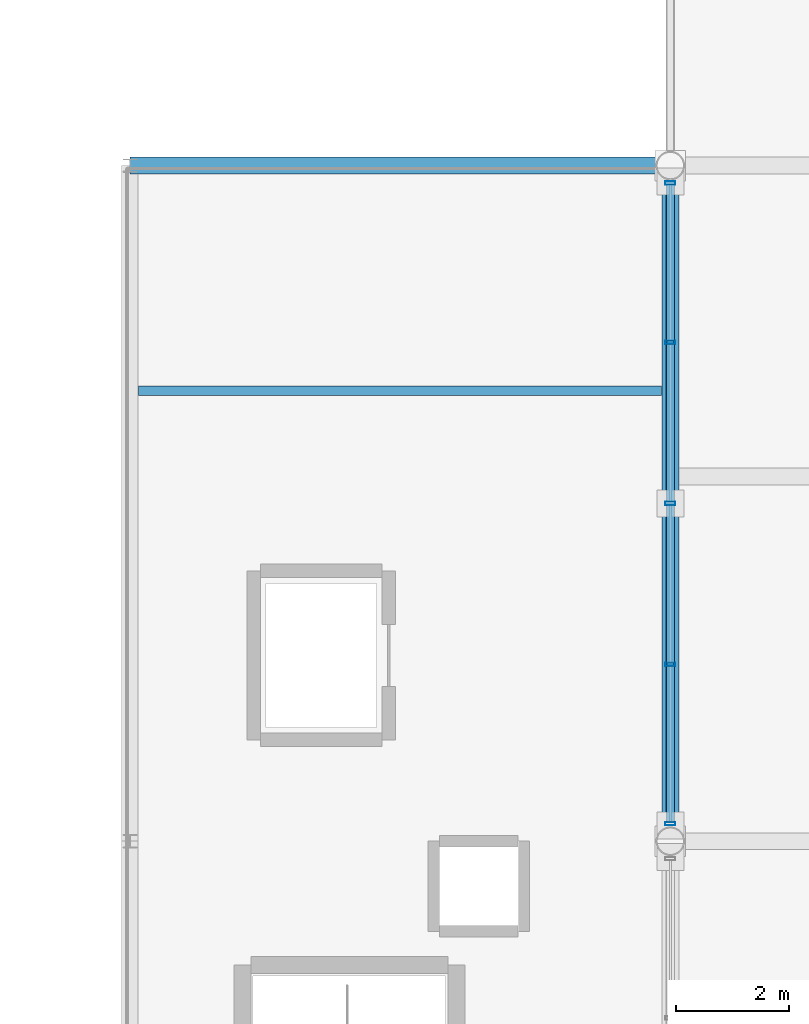
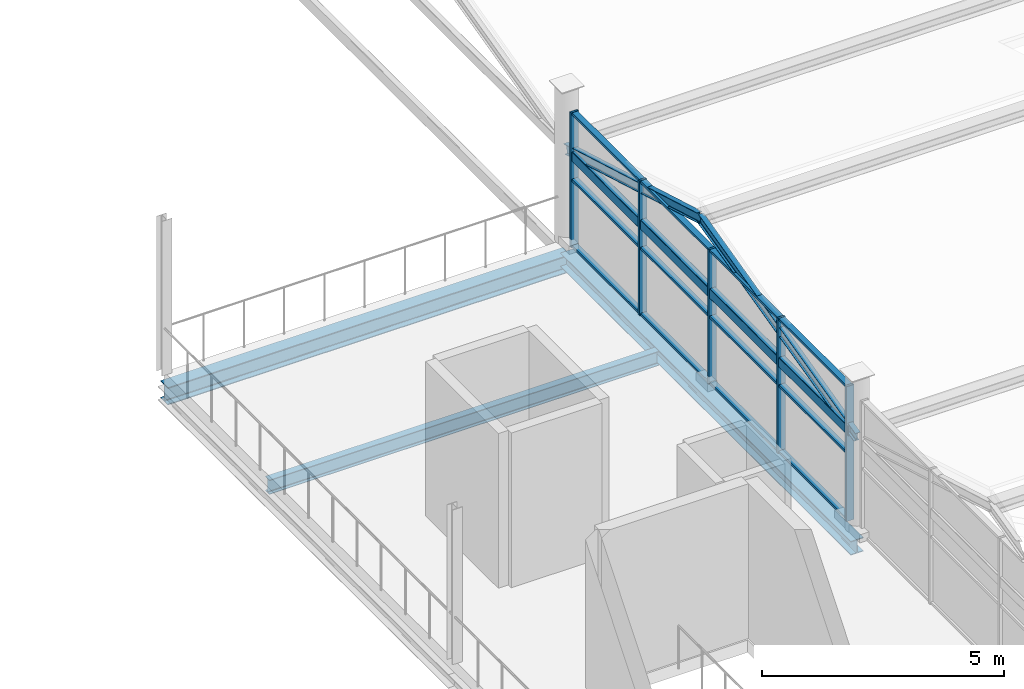
# One storey, part 54 of 117: 19 members, 4 beams, 1 element without a shape of its own.
"""IFC4 building model written with IfcOpenShell, lengths in metres."""

from ifc_helpers import new_model, si_unit, direction, frame, origin, origin_2d, place, context, subcontext, project, spatial, hollow_rectangle, i_section, extrude, material, material_profile, profile_set, type_object, element, aggregate, save


model = new_model("IFC4")

# Units and contexts
model_context = context("Model", 3, precision=1e-05, world=origin(), true_north=direction((0.0, 1.0)))
body_context = subcontext(model_context, "Body", "Model", "MODEL_VIEW")
ifc_project = project(units=[si_unit("LENGTHUNIT", "METRE"), si_unit("AREAUNIT", "SQUARE_METRE"), si_unit("VOLUMEUNIT", "CUBIC_METRE"), si_unit("PLANEANGLEUNIT", "RADIAN"), si_unit("MASSUNIT", "GRAM", prefix="KILO")], contexts=[model_context])

# Site, building, storey
site_placement = place(None, origin())
site = spatial("IfcSite", under=ifc_project, at=site_placement, CompositionType="ELEMENT")
building_placement = place(site_placement, origin())
building = spatial("IfcBuilding", under=site, at=building_placement, Name="Merenkruunu Market Hall", CompositionType="ELEMENT")
storey_placement = place(building_placement, frame((0.0, 0.0, 10.199951171875)))
storey = spatial("IfcBuildingStorey", under=building, at=storey_placement, Name="L02", CompositionType="ELEMENT", Elevation=10.199951171875)

# Curtain wall, members
ifc_material_1 = material(Name="Powder-coated aluminium", Category="aluminium")
curtain_wall_type = type_object("IfcCurtainWallType", Name="Glazed Curtain Wall CW13", PredefinedType="USERDEFINED", material=ifc_material_1)
curtain_wall_placement = place(storey_placement, origin())
curtain_wall = element("IfcCurtainWall", 1, at=curtain_wall_placement, inside=storey, type_object=curtain_wall_type, Name="CW-L02-CWM02-132", ObjectType="GLAZED_FACADE", PredefinedType="USERDEFINED")
ifc_material_profile_1 = material_profile(ifc_material_1, hollow_rectangle(XDim=0.06005859375, YDim=0.179931640625, WallThickness=0.00390625, at=origin_2d()), Name="ALU 60x180x4")
ifc_profile_set_1 = profile_set([ifc_material_profile_1], Name="Powder-coated aluminium")
member_type_1 = type_object("IfcMemberType", Name="Curtain Wall Mullion CWM02", PredefinedType="MULLION", material=ifc_profile_set_1)
member_1_placement = place(storey_placement, frame((57.60009765625, 63.909912109375, 0.0), z_axis=(0.0, 0.0, 1.0), x_axis=(0.0, 1.0, 0.0)))
member_1 = element("IfcMember", 2, at=member_1_placement, type_object=member_type_1, Name="CW13 mullion 1", PredefinedType="MULLION", context=body_context, shape_type="SweptSolid", body=[
    extrude(hollow_rectangle(XDim=0.06005859375, YDim=0.179931640625, WallThickness=0.00390625, at=origin_2d()), origin(), (0.0, 0.0, 1.0), 3.400146484375),
])
member_2_placement = place(storey_placement, frame((57.60009765625, 66.739990234375, 0.0), z_axis=(0.0, 0.0, 1.0), x_axis=(0.0, 1.0, 0.0)))
member_2 = element("IfcMember", 3, at=member_2_placement, type_object=member_type_1, Name="CW13 mullion 2", PredefinedType="MULLION", context=body_context, shape_type="SweptSolid", body=[
    extrude(hollow_rectangle(XDim=0.06005859375, YDim=0.179931640625, WallThickness=0.00390625, at=origin_2d()), origin(), (0.0, 0.0, 1.0), 3.400146484375),
])
member_3_placement = place(storey_placement, frame((57.60009765625, 69.60009765625, 0.0), z_axis=(0.0, 0.0, 1.0), x_axis=(0.0, 1.0, 0.0)))
member_3 = element("IfcMember", 4, at=member_3_placement, type_object=member_type_1, Name="CW13 mullion 3", PredefinedType="MULLION", context=body_context, shape_type="SweptSolid", body=[
    extrude(hollow_rectangle(XDim=0.06005859375, YDim=0.179931640625, WallThickness=0.00390625, at=origin_2d()), origin(), (0.0, 0.0, 1.0), 3.400146484375),
])
member_4_placement = place(storey_placement, frame((57.60009765625, 72.4599609375, 0.0), z_axis=(0.0, 0.0, 1.0), x_axis=(0.0, 1.0, 0.0)))
member_4 = element("IfcMember", 5, at=member_4_placement, type_object=member_type_1, Name="CW13 mullion 4", PredefinedType="MULLION", context=body_context, shape_type="SweptSolid", body=[
    extrude(hollow_rectangle(XDim=0.06005859375, YDim=0.179931640625, WallThickness=0.00390625, at=origin_2d()), origin(), (0.0, 0.0, 1.0), 3.400146484375),
])
member_5_placement = place(storey_placement, frame((57.60009765625, 75.2900390625, 0.0), z_axis=(0.0, 0.0, 1.0), x_axis=(0.0, 1.0, 0.0)))
member_5 = element("IfcMember", 6, at=member_5_placement, type_object=member_type_1, Name="CW13 mullion 5", PredefinedType="MULLION", context=body_context, shape_type="SweptSolid", body=[
    extrude(hollow_rectangle(XDim=0.06005859375, YDim=0.179931640625, WallThickness=0.00390625, at=origin_2d()), origin(), (0.0, 0.0, 1.0), 3.400146484375),
])
ifc_material_profile_2 = material_profile(ifc_material_1, hollow_rectangle(XDim=0.06005859375, YDim=0.139892578125, WallThickness=0.00390625, at=origin_2d()), Name="ALU 60x140x4")
ifc_profile_set_2 = profile_set([ifc_material_profile_2], Name="Powder-coated aluminium")
member_type_2 = type_object("IfcMemberType", Name="Curtain Wall Transom CWT02", PredefinedType="USERDEFINED", material=ifc_profile_set_2)
member_6_placement = place(storey_placement, frame((57.60009765625, 63.93994140625, 0.030029296875), z_axis=(0.0, 1.0, 0.0), x_axis=(0.0, 0.0, 1.0)))
member_6 = element("IfcMember", 7, at=member_6_placement, type_object=member_type_2, Name="CW13 transom 1.1", ObjectType="TRANSOM", PredefinedType="USERDEFINED", context=body_context, shape_type="SweptSolid", body=[
    extrude(hollow_rectangle(XDim=0.06005859375, YDim=0.139892578125, WallThickness=0.00390625, at=origin_2d()), origin(), (0.0, 0.0, 1.0), 2.77001953125),
])
member_7_placement = place(storey_placement, frame((57.60009765625, 63.93994140625, 1.699951171875), z_axis=(0.0, 1.0, 0.0), x_axis=(0.0, 0.0, 1.0)))
member_7 = element("IfcMember", 8, at=member_7_placement, type_object=member_type_2, Name="CW13 transom 1.2", ObjectType="TRANSOM", PredefinedType="USERDEFINED", context=body_context, shape_type="SweptSolid", body=[
    extrude(hollow_rectangle(XDim=0.06005859375, YDim=0.139892578125, WallThickness=0.00390625, at=origin_2d()), origin(), (0.0, 0.0, 1.0), 2.77001953125),
])
member_8_placement = place(storey_placement, frame((57.60009765625, 63.93994140625, 3.3701171875), z_axis=(0.0, 1.0, 0.0), x_axis=(0.0, 0.0, 1.0)))
member_8 = element("IfcMember", 9, at=member_8_placement, type_object=member_type_2, Name="CW13 transom 1.3", ObjectType="TRANSOM", PredefinedType="USERDEFINED", context=body_context, shape_type="SweptSolid", body=[
    extrude(hollow_rectangle(XDim=0.06005859375, YDim=0.139892578125, WallThickness=0.00390625, at=origin_2d()), origin(), (0.0, 0.0, 1.0), 2.77001953125),
])
member_9_placement = place(storey_placement, frame((57.60009765625, 66.77001953125, 0.030029296875), z_axis=(0.0, 1.0, 0.0), x_axis=(0.0, 0.0, 1.0)))
member_9 = element("IfcMember", 10, at=member_9_placement, type_object=member_type_2, Name="CW13 transom 2.1", ObjectType="TRANSOM", PredefinedType="USERDEFINED", context=body_context, shape_type="SweptSolid", body=[
    extrude(hollow_rectangle(XDim=0.06005859375, YDim=0.139892578125, WallThickness=0.00390625, at=origin_2d()), origin(), (0.0, 0.0, 1.0), 2.800048828125),
])
member_10_placement = place(storey_placement, frame((57.60009765625, 66.77001953125, 1.699951171875), z_axis=(0.0, 1.0, 0.0), x_axis=(0.0, 0.0, 1.0)))
member_10 = element("IfcMember", 11, at=member_10_placement, type_object=member_type_2, Name="CW13 transom 2.2", ObjectType="TRANSOM", PredefinedType="USERDEFINED", context=body_context, shape_type="SweptSolid", body=[
    extrude(hollow_rectangle(XDim=0.06005859375, YDim=0.139892578125, WallThickness=0.00390625, at=origin_2d()), origin(), (0.0, 0.0, 1.0), 2.800048828125),
])
member_11_placement = place(storey_placement, frame((57.60009765625, 66.77001953125, 3.3701171875), z_axis=(0.0, 1.0, 0.0), x_axis=(0.0, 0.0, 1.0)))
member_11 = element("IfcMember", 12, at=member_11_placement, type_object=member_type_2, Name="CW13 transom 2.3", ObjectType="TRANSOM", PredefinedType="USERDEFINED", context=body_context, shape_type="SweptSolid", body=[
    extrude(hollow_rectangle(XDim=0.06005859375, YDim=0.139892578125, WallThickness=0.00390625, at=origin_2d()), origin(), (0.0, 0.0, 1.0), 2.800048828125),
])
member_12_placement = place(storey_placement, frame((57.60009765625, 69.6298828125, 0.030029296875), z_axis=(0.0, 1.0, 0.0), x_axis=(0.0, 0.0, 1.0)))
member_12 = element("IfcMember", 13, at=member_12_placement, type_object=member_type_2, Name="CW13 transom 3.1", ObjectType="TRANSOM", PredefinedType="USERDEFINED", context=body_context, shape_type="SweptSolid", body=[
    extrude(hollow_rectangle(XDim=0.06005859375, YDim=0.139892578125, WallThickness=0.00390625, at=origin_2d()), origin(), (0.0, 0.0, 1.0), 2.800048828125),
])
member_13_placement = place(storey_placement, frame((57.60009765625, 69.6298828125, 1.699951171875), z_axis=(0.0, 1.0, 0.0), x_axis=(0.0, 0.0, 1.0)))
member_13 = element("IfcMember", 14, at=member_13_placement, type_object=member_type_2, Name="CW13 transom 3.2", ObjectType="TRANSOM", PredefinedType="USERDEFINED", context=body_context, shape_type="SweptSolid", body=[
    extrude(hollow_rectangle(XDim=0.06005859375, YDim=0.139892578125, WallThickness=0.00390625, at=origin_2d()), origin(), (0.0, 0.0, 1.0), 2.800048828125),
])
member_14_placement = place(storey_placement, frame((57.60009765625, 69.6298828125, 3.3701171875), z_axis=(0.0, 1.0, 0.0), x_axis=(0.0, 0.0, 1.0)))
member_14 = element("IfcMember", 15, at=member_14_placement, type_object=member_type_2, Name="CW13 transom 3.3", ObjectType="TRANSOM", PredefinedType="USERDEFINED", context=body_context, shape_type="SweptSolid", body=[
    extrude(hollow_rectangle(XDim=0.06005859375, YDim=0.139892578125, WallThickness=0.00390625, at=origin_2d()), origin(), (0.0, 0.0, 1.0), 2.800048828125),
])
member_15_placement = place(storey_placement, frame((57.60009765625, 72.489990234375, 0.030029296875), z_axis=(0.0, 1.0, 0.0), x_axis=(0.0, 0.0, 1.0)))
member_15 = element("IfcMember", 16, at=member_15_placement, type_object=member_type_2, Name="CW13 transom 4.1", ObjectType="TRANSOM", PredefinedType="USERDEFINED", context=body_context, shape_type="SweptSolid", body=[
    extrude(hollow_rectangle(XDim=0.06005859375, YDim=0.139892578125, WallThickness=0.00390625, at=origin_2d()), origin(), (0.0, 0.0, 1.0), 2.77001953125),
])
member_16_placement = place(storey_placement, frame((57.60009765625, 72.489990234375, 1.699951171875), z_axis=(0.0, 1.0, 0.0), x_axis=(0.0, 0.0, 1.0)))
member_16 = element("IfcMember", 17, at=member_16_placement, type_object=member_type_2, Name="CW13 transom 4.2", ObjectType="TRANSOM", PredefinedType="USERDEFINED", context=body_context, shape_type="SweptSolid", body=[
    extrude(hollow_rectangle(XDim=0.06005859375, YDim=0.139892578125, WallThickness=0.00390625, at=origin_2d()), origin(), (0.0, 0.0, 1.0), 2.77001953125),
])
member_17_placement = place(storey_placement, frame((57.60009765625, 72.489990234375, 3.3701171875), z_axis=(0.0, 1.0, 0.0), x_axis=(0.0, 0.0, 1.0)))
member_17 = element("IfcMember", 18, at=member_17_placement, type_object=member_type_2, Name="CW13 transom 4.3", ObjectType="TRANSOM", PredefinedType="USERDEFINED", context=body_context, shape_type="SweptSolid", body=[
    extrude(hollow_rectangle(XDim=0.06005859375, YDim=0.139892578125, WallThickness=0.00390625, at=origin_2d()), origin(), (0.0, 0.0, 1.0), 2.77001953125),
])
aggregate(curtain_wall, [member_1, member_2, member_3, member_4, member_5, member_6, member_7, member_8, member_9, member_10, member_11, member_12, member_13, member_14, member_15, member_16, member_17])

# Beams
ifc_material_2 = material(Name="Steel S355J2", Category="steel")
ifc_material_profile_3 = material_profile(ifc_material_2, hollow_rectangle(XDim=0.14990234375, YDim=0.25, WallThickness=0.010009765625, InnerFilletRadius=0.010009765625, OuterFilletRadius=0.02001953125, at=origin_2d()), Name="RHS 250x150x10")
ifc_profile_set_3 = profile_set([ifc_material_profile_3], Name="Steel S355J2")
beam_type_1 = type_object("IfcBeamType", Name="Perimeter Spandrel Beam SP04", PredefinedType="SPANDREL", material=ifc_profile_set_3)
beam_1_placement = place(storey_placement, frame((57.60009765625, 63.85009765625, 2.295166015625), z_axis=(0.0, 1.0, 0.0), x_axis=(-1.0, 0.0, 0.0)))
element("IfcBeam", 19, at=beam_1_placement, inside=storey, type_object=beam_type_1, Name="BM-L02-SP04-1282", PredefinedType="SPANDREL", context=body_context, shape_type="SweptSolid", body=[
    extrude(hollow_rectangle(XDim=0.14990234375, YDim=0.25, WallThickness=0.010009765625, InnerFilletRadius=0.010009765625, OuterFilletRadius=0.02001953125, at=origin_2d()), origin(), (0.0, 0.0, 1.0), 11.5),
])
ifc_material_profile_4 = material_profile(ifc_material_2, i_section(OverallWidth=0.300048828125, OverallDepth=0.43994140625, WebThickness=0.011474609375, FlangeThickness=0.02099609375, FilletRadius=0.027099609375, at=origin_2d()), Name="HEA 450")
ifc_profile_set_4 = profile_set([ifc_material_profile_4], Name="Steel S355J2")
beam_type_2 = type_object("IfcBeamType", Name="Primary Floor Girder B07", PredefinedType="BEAM", material=ifc_profile_set_4)
beam_2_placement = place(storey_placement, frame((48.0, 75.60009765625, -0.530029296875), z_axis=(1.0, 0.0, 0.0), x_axis=(0.0, 1.0, 0.0)))
element("IfcBeam", 20, at=beam_2_placement, inside=storey, type_object=beam_type_2, Name="BM-L02-B07-0774", PredefinedType="BEAM", context=body_context, shape_type="SweptSolid", body=[
    extrude(i_section(OverallWidth=0.300048828125, OverallDepth=0.43994140625, WebThickness=0.011474609375, FlangeThickness=0.02099609375, FilletRadius=0.027099609375, at=origin_2d()), origin(), (0.0, 0.0, 1.0), 9.60009765625),
])
ifc_material_profile_5 = material_profile(ifc_material_2, i_section(OverallWidth=0.300048828125, OverallDepth=0.35009765625, WebThickness=0.010009765625, FlangeThickness=0.017578125, FilletRadius=0.027099609375, at=origin_2d()), Name="HEA 360")
ifc_profile_set_5 = profile_set([ifc_material_profile_5], Name="Steel S355J2")
beam_type_3 = type_object("IfcBeamType", Name="Primary Floor Girder B08", PredefinedType="BEAM", material=ifc_profile_set_5)
beam_3_placement = place(storey_placement, frame((57.60009765625, 63.60009765625, -0.48486328125), z_axis=(0.0, 1.0, 0.0), x_axis=(-1.0, 0.0, 0.0)))
element("IfcBeam", 21, at=beam_3_placement, inside=storey, type_object=beam_type_3, Name="BM-L02-B08-0789", PredefinedType="BEAM", context=body_context, shape_type="SweptSolid", body=[
    extrude(i_section(OverallWidth=0.300048828125, OverallDepth=0.35009765625, WebThickness=0.010009765625, FlangeThickness=0.017578125, FilletRadius=0.027099609375, at=origin_2d()), origin(), (0.0, 0.0, 1.0), 12.0),
])

# Members
ifc_material_3 = material(Name="Steel S355ML", Category="steel")
ifc_material_profile_6 = material_profile(ifc_material_3, i_section(OverallWidth=0.1201171875, OverallDepth=0.239990234375, WebThickness=0.006103515625, FlangeThickness=0.009765625, FilletRadius=0.014892578125, at=origin_2d()), Name="IPE 240")
ifc_profile_set_6 = profile_set([ifc_material_profile_6], Name="Steel S355ML")
member_type_3 = type_object("IfcMemberType", Name="Roof Purlin Rafter PR02", PredefinedType="PURLIN", material=ifc_profile_set_6)
member_18_placement = place(storey_placement, frame((57.60009765625, 63.60009765625, 2.280029296875), z_axis=(0.0, 0.970839870255, 0.239728901727), x_axis=(-1.0, 0.0, 0.0)))
element("IfcMember", 22, at=member_18_placement, inside=storey, type_object=member_type_3, Name="MEM-V4-SAWR-017", PredefinedType="PURLIN", context=body_context, shape_type="SweptSolid", body=[
    extrude(i_section(OverallWidth=0.1201171875, OverallDepth=0.239990234375, WebThickness=0.006103515625, FlangeThickness=0.009765625, FilletRadius=0.014892578125, at=origin_2d()), origin(), (0.0, 0.0, 1.0), 6.674560546875),
])
member_19_placement = place(storey_placement, frame((57.60009765625, 70.080078125, 3.880126953125), z_axis=(0.0, 0.960462085918, -0.27841081429), x_axis=(-1.0, 0.0, 0.0)))
element("IfcMember", 23, at=member_19_placement, inside=storey, type_object=member_type_3, Name="MEM-V4-SAWR-018", PredefinedType="PURLIN", context=body_context, shape_type="SweptSolid", body=[
    extrude(i_section(OverallWidth=0.1201171875, OverallDepth=0.239990234375, WebThickness=0.006103515625, FlangeThickness=0.009765625, FilletRadius=0.014892578125, at=origin_2d()), origin(), (0.0, 0.0, 1.0), 5.747314453125),
])

# Beam
ifc_material_profile_7 = material_profile(ifc_material_2, i_section(OverallWidth=0.169921875, OverallDepth=0.360107421875, WebThickness=0.008056640625, FlangeThickness=0.0126953125, FilletRadius=0.01806640625, at=origin_2d()), Name="IPE 360")
ifc_profile_set_7 = profile_set([ifc_material_profile_7], Name="Steel S355J2")
beam_type_4 = type_object("IfcBeamType", Name="Secondary Floor Joist J03", PredefinedType="JOIST", material=ifc_profile_set_7)
beam_4_placement = place(storey_placement, frame((48.153076171875, 71.60009765625, -0.489990234375), z_axis=(1.0, 0.0, 0.0), x_axis=(0.0, 1.0, 0.0)))
element("IfcBeam", 24, at=beam_4_placement, inside=storey, type_object=beam_type_4, Name="BM-L02-J03-0826", PredefinedType="JOIST", context=body_context, shape_type="SweptSolid", body=[
    extrude(i_section(OverallWidth=0.169921875, OverallDepth=0.360107421875, WebThickness=0.008056640625, FlangeThickness=0.0126953125, FilletRadius=0.01806640625, at=origin_2d()), origin(), (0.0, 0.0, 1.0), 9.2939453125),
])

save(model, "model.ifc")
